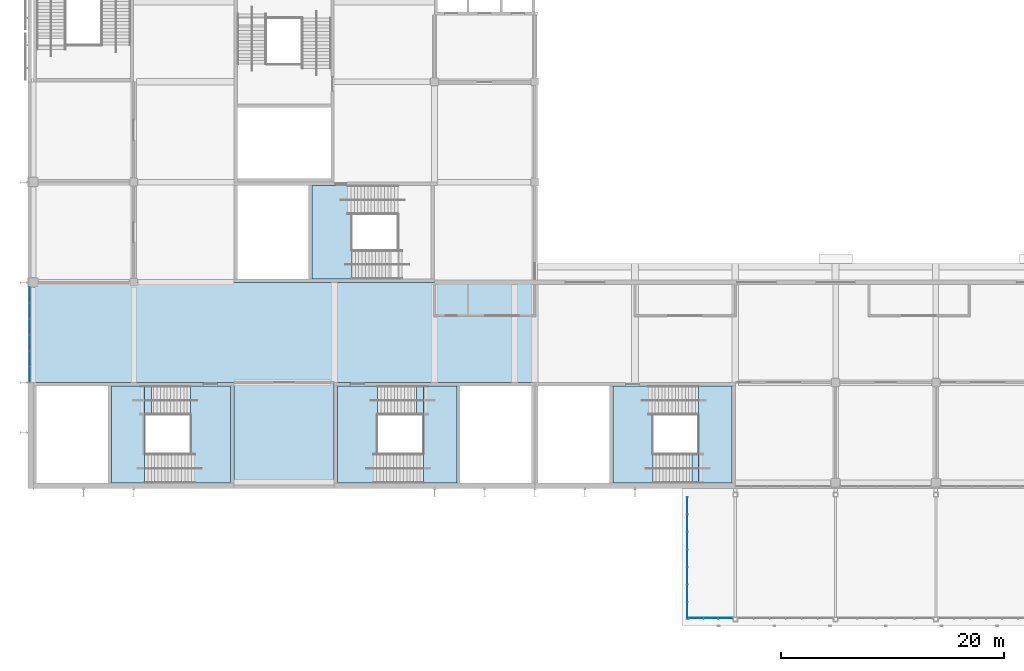
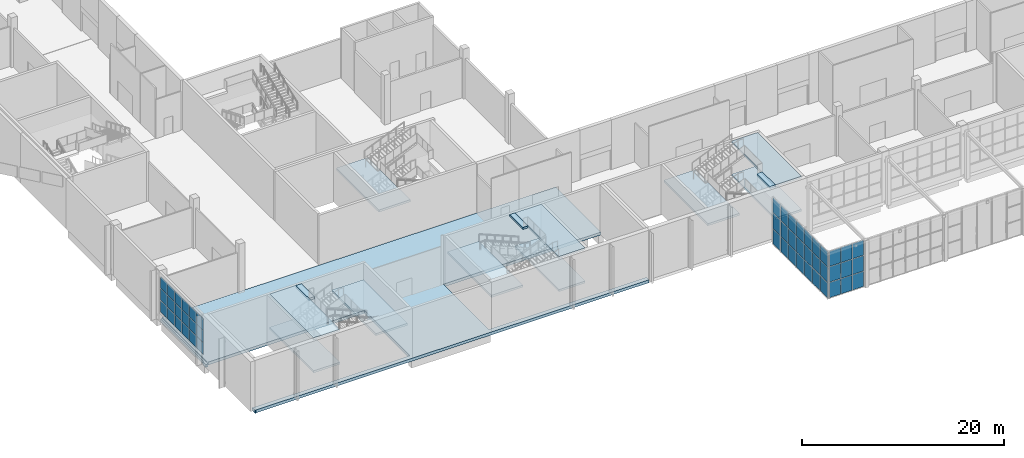
# One storey, part 28 of 89: 48 plates, 14 slabs, 7 elements without a shape of their own.
"""IFC4 building model written with IfcOpenShell, lengths in metres."""

import ifcopenshell
import ifcopenshell.guid

model = None  # the IFC model being written
_history = None  # IfcOwnerHistory: only IFC2X3 demands one
_inside = {}  # id of a spatial element -> (the spatial element, [elements in it])
_under = {}  # id of a project, library or spatial element -> (it, [spatial elements below it])
_declared = {}  # id of a project -> (the project, [libraries it declares])
_typed = {}  # id of a type object -> (the type object, [elements of that type])
_made_of = {}  # id of a material, layer set ... -> (it, [elements and type objects made of it])


def new_model(schema):
    """Start an empty IFC model of exactly this schema.

    Asked for "IFC4X3", IfcOpenShell would pick the latest addendum, in which some entities
    have other attributes; the version numbers below select the first issue.
    IFC2X3 requires an IfcOwnerHistory on every rooted entity: one is made here for all.
    """
    global model, _history
    if schema == "IFC4X3":
        model = ifcopenshell.file(schema_version=(4, 3, 0, 0))
    else:
        model = ifcopenshell.file(schema=schema)
    _inside.clear()
    _under.clear()
    _declared.clear()
    _typed.clear()
    _made_of.clear()
    _history = None
    if model.schema == "IFC2X3":
        org = make("IfcOrganization", Name="unknown")
        user = make(
            "IfcPersonAndOrganization",
            ThePerson=make("IfcPerson", FamilyName="unknown"),
            TheOrganization=org,
        )
        app = make(
            "IfcApplication",
            ApplicationDeveloper=org,
            Version="unknown",
            ApplicationFullName="unknown",
            ApplicationIdentifier="unknown",
        )
        _history = make(
            "IfcOwnerHistory",
            OwningUser=user,
            OwningApplication=app,
            ChangeAction="ADDED",
            CreationDate=0,
        )
    return model


def make(cls, **values):
    """One entity of the class cls with the attributes given. An attribute that is None is left unset."""
    return model.create_entity(
        cls, **{name: value for name, value in values.items() if value is not None}
    )


def rooted(cls, **values):
    """An entity with a GlobalId (a new one), such as an element, a storey or a relation."""
    return make(cls, GlobalId=ifcopenshell.guid.new(), OwnerHistory=_history, **values)


def si_unit(unit_type, name, prefix=None):
    """IfcSIUnit, for example si_unit("LENGTHUNIT", "METRE", prefix="MILLI")."""
    return make("IfcSIUnit", UnitType=unit_type, Prefix=prefix, Name=name)


def assignment(units):
    """IfcUnitAssignment: the units of a project."""
    return None if units is None else make("IfcUnitAssignment", Units=units)


def point(xyz):
    """IfcCartesianPoint."""
    return None if xyz is None else make("IfcCartesianPoint", Coordinates=xyz)


def direction(xyz):
    """IfcDirection."""
    return None if xyz is None else make("IfcDirection", DirectionRatios=xyz)


def frame(location, z_axis=None, x_axis=None):
    """IfcAxis2Placement3D, a coordinate frame: its origin and axes. An axis left out is left unset."""
    return make(
        "IfcAxis2Placement3D",
        Location=point(location),
        Axis=direction(z_axis),
        RefDirection=direction(x_axis),
    )


def frame_2d(location, x_axis=None):
    """IfcAxis2Placement2D, a coordinate frame in the plane: its origin and x axis."""
    return make(
        "IfcAxis2Placement2D", Location=point(location), RefDirection=direction(x_axis)
    )


def origin():
    """The frame at (0, 0, 0) with its axes left unset."""
    return frame((0.0, 0.0, 0.0))


def origin_2d():
    """The frame at (0, 0) in the plane with its x axis left unset."""
    return frame_2d((0.0, 0.0))


def place(relative_to, where):
    """IfcLocalPlacement: puts the frame where relative to a parent placement (None: the world)."""
    return make(
        "IfcLocalPlacement", PlacementRelTo=relative_to, RelativePlacement=where
    )


def context(
    kind, dimensions, precision=None, world=None, true_north=None, identifier=None
):
    """IfcGeometricRepresentationContext, for example the 3D "Model" context."""
    return make(
        "IfcGeometricRepresentationContext",
        ContextIdentifier=identifier,
        ContextType=kind,
        CoordinateSpaceDimension=dimensions,
        Precision=precision,
        WorldCoordinateSystem=world,
        TrueNorth=true_north,
    )


def subcontext(parent, identifier, kind, view, scale=None):
    """IfcGeometricRepresentationSubContext, for example "Body" below "Model"."""
    return make(
        "IfcGeometricRepresentationSubContext",
        ContextIdentifier=identifier,
        ContextType=kind,
        ParentContext=parent,
        TargetScale=scale,
        TargetView=view,
    )


def project(units=None, contexts=None):
    """IfcProject with its units and contexts."""
    return rooted(
        "IfcProject",
        Name="project",
        RepresentationContexts=contexts,
        UnitsInContext=assignment(units),
    )


def spatial(cls, under=None, at=None, **own):
    """A site, building, storey or space (cls), placed at a placement, below another one or the project."""
    s = rooted(cls, ObjectPlacement=at, **own)
    if under is not None:
        _under.setdefault(under.id(), (under, []))[1].append(s)
    return s


def polyline(points):
    """IfcPolyline through the points."""
    return make("IfcPolyline", Points=[point(p) for p in points])


def profile(cls, at=None, kind="AREA", **sizes):
    """A parametric profile (cls). Its sizes go by their IFC names, for example OverallWidth=200.0."""
    return make(cls, ProfileType=kind, Position=at, **sizes)


def rectangle(**sizes):
    """IfcRectangleProfileDef."""
    return profile("IfcRectangleProfileDef", **sizes)


def outline(outer, holes=None, kind="AREA"):
    """IfcArbitraryClosedProfileDef: a profile drawn as a closed curve; with holes, ...WithVoids."""
    if holes is None:
        return make("IfcArbitraryClosedProfileDef", ProfileType=kind, OuterCurve=outer)
    return make(
        "IfcArbitraryProfileDefWithVoids",
        ProfileType=kind,
        OuterCurve=outer,
        InnerCurves=holes,
    )


def extrude(swept, where, along, depth):
    """IfcExtrudedAreaSolid: the profile swept, set in the frame where, extruded along a direction by depth."""
    return make(
        "IfcExtrudedAreaSolid",
        SweptArea=swept,
        Position=where,
        ExtrudedDirection=direction(along),
        Depth=depth,
    )


def shape(context_of_items, identifier, shape_type, items):
    """IfcShapeRepresentation: the items that make up one representation, for example the "Body"."""
    return make(
        "IfcShapeRepresentation",
        ContextOfItems=context_of_items,
        RepresentationIdentifier=identifier,
        RepresentationType=shape_type,
        Items=items,
    )


def material(Name=None, Category=None):
    """IfcMaterial."""
    return make("IfcMaterial", Name=Name, Category=Category)


def layer(
    of_material, thickness, ventilated=None, Name=None, Category=None, Priority=None
):
    """IfcMaterialLayer: one layer of a wall or slab, of a material (None: an air gap)."""
    return make(
        "IfcMaterialLayer",
        Material=of_material,
        LayerThickness=thickness,
        IsVentilated=ventilated,
        Name=Name,
        Category=Category,
        Priority=Priority,
    )


def layer_set(layers, Name=None):
    """IfcMaterialLayerSet."""
    return make("IfcMaterialLayerSet", MaterialLayers=layers, LayerSetName=Name)


def made_of(thing, what):
    """Note that an element or type object is made of a material, layer set ...; save() writes the relation."""
    if what is not None:
        _made_of.setdefault(what.id(), (what, []))[1].append(thing)
    return thing


def type_object(cls, material=None, **own):
    """A type object (cls), such as IfcWallType, which elements share."""
    return made_of(rooted(cls, **own), material)


def element(
    cls,
    number,
    at=None,
    inside=None,
    cuts=None,
    type_object=None,
    material=None,
    context=None,
    identifier="Body",
    shape_type=None,
    held_by="IfcProductDefinitionShape",
    body=None,
    shapes=None,
    **own,
):
    """One element of the class cls, such as IfcWall. Its Tag is "e" and its number.

    at: its placement. inside: the storey or other place that contains it. cuts: it is an
    opening in that element (IfcRelVoidsElement). A single representation is given by context,
    identifier, shape_type and body (its items); several are given by shapes. held_by: the class
    of the entity that holds the representations. save() writes the other relations.
    """
    e = rooted(cls, Tag="e%d" % number, ObjectPlacement=at, **own)
    if body is not None:
        shapes = [shape(context, identifier, shape_type, body)]
    if shapes is not None:
        e.Representation = make(held_by, Representations=shapes)
    if inside is not None:
        _inside.setdefault(inside.id(), (inside, []))[1].append(e)
    if cuts is not None:
        rooted(
            "IfcRelVoidsElement", RelatingBuildingElement=cuts, RelatedOpeningElement=e
        )
    if type_object is not None:
        _typed.setdefault(type_object.id(), (type_object, []))[1].append(e)
    return made_of(e, material)


def aggregate(whole, parts):
    """IfcRelAggregates: a whole, such as a stair, and the parts it consists of."""
    return rooted("IfcRelAggregates", RelatingObject=whole, RelatedObjects=parts)


def save(model, path):
    """Write the relations noted so far, then the file.

    IfcRelAggregates (storeys below a building ...), IfcRelContainedInSpatialStructure (elements
    in a storey), IfcRelDefinesByType, IfcRelAssociatesMaterial and IfcRelDeclares: one each for
    every whole, place, type object, material and project.
    """
    for whole, parts in _under.values():
        aggregate(whole, parts)
    for where, things in _inside.values():
        rooted(
            "IfcRelContainedInSpatialStructure",
            RelatedElements=things,
            RelatingStructure=where,
        )
    for kind, things in _typed.values():
        rooted("IfcRelDefinesByType", RelatedObjects=things, RelatingType=kind)
    for what, things in _made_of.values():
        rooted("IfcRelAssociatesMaterial", RelatedObjects=things, RelatingMaterial=what)
    for by, libraries in _declared.values():
        rooted("IfcRelDeclares", RelatingContext=by, RelatedDefinitions=libraries)
    model.write(path)


model = new_model("IFC4")

# Units and contexts
model_context = context("Model", 3, precision=1e-05, world=origin(), true_north=direction((0.0, 1.0)))
body_context = subcontext(model_context, "Body", "Model", "MODEL_VIEW")
ifc_project = project(units=[si_unit("LENGTHUNIT", "METRE"), si_unit("AREAUNIT", "SQUARE_METRE"), si_unit("VOLUMEUNIT", "CUBIC_METRE"), si_unit("PLANEANGLEUNIT", "RADIAN"), si_unit("MASSUNIT", "GRAM", prefix="KILO")], contexts=[model_context])

# Site, building, storey
site_placement = place(None, origin())
site = spatial("IfcSite", under=ifc_project, at=site_placement, CompositionType="ELEMENT")
building_placement = place(site_placement, origin())
building = spatial("IfcBuilding", under=site, at=building_placement, Name="Silverbay Arena", CompositionType="ELEMENT")
storey_placement = place(building_placement, frame((0.0, 0.0, 22.0)))
storey = spatial("IfcBuildingStorey", under=building, at=storey_placement, Name="L03", CompositionType="ELEMENT", Elevation=22.0)

# Curtain wall, plates
ifc_material_1 = material(Name="Aluminium framed curtain wall", Category="aluminium")
curtain_wall_type_1 = type_object("IfcCurtainWallType", Name="Curtain wall 8600 x 4400", PredefinedType="NOTDEFINED", material=ifc_material_1)
curtain_wall_1_placement = place(storey_placement, origin())
curtain_wall_1 = element("IfcCurtainWall", 1, at=curtain_wall_1_placement, inside=storey, type_object=curtain_wall_type_1, Name="West curtain wall L03 bay 2", PredefinedType="NOTDEFINED")
ifc_material_2 = material(Name="Laminated glass", Category="glass")
ifc_layer_1 = layer(ifc_material_2, 0.028076171875)
ifc_layer_set_1 = layer_set([ifc_layer_1], Name="Laminated glass")
plate_type = type_object("IfcPlateType", Name="Glass panel 28", PredefinedType="CURTAIN_PANEL", material=ifc_layer_set_1)
plate_1_placement = place(storey_placement, frame((53.669921875, 34.868408203125, 1.050048828125), z_axis=(0.0, 0.0, 1.0), x_axis=(0.0, -1.0, 0.0)))
plate_1 = element("IfcPlate", 2, at=plate_1_placement, type_object=plate_type, Name="CW12 panel 1.1", PredefinedType="CURTAIN_PANEL", context=body_context, shape_type="SweptSolid", body=[
    extrude(rectangle(XDim=1.34326171875, YDim=0.028076171875, at=origin_2d()), origin(), (0.0, 0.0, 1.0), 1.3916015625),
])
plate_2_placement = place(storey_placement, frame((53.669921875, 34.868408203125, 2.49169921875), z_axis=(0.0, 0.0, 1.0), x_axis=(0.0, -1.0, 0.0)))
plate_2 = element("IfcPlate", 3, at=plate_2_placement, type_object=plate_type, Name="CW12 panel 1.2", PredefinedType="CURTAIN_PANEL", context=body_context, shape_type="SweptSolid", body=[
    extrude(rectangle(XDim=1.34326171875, YDim=0.028076171875, at=origin_2d()), origin(), (0.0, 0.0, 1.0), 1.416748046875),
])
plate_3_placement = place(storey_placement, frame((53.669921875, 34.868408203125, 3.958251953125), z_axis=(0.0, 0.0, 1.0), x_axis=(0.0, -1.0, 0.0)))
plate_3 = element("IfcPlate", 4, at=plate_3_placement, type_object=plate_type, Name="CW12 panel 1.3", PredefinedType="CURTAIN_PANEL", context=body_context, shape_type="SweptSolid", body=[
    extrude(rectangle(XDim=1.34326171875, YDim=0.028076171875, at=origin_2d()), origin(), (0.0, 0.0, 1.0), 1.3916015625),
])
plate_4_placement = place(storey_placement, frame((53.669921875, 33.449951171875, 1.050048828125), z_axis=(0.0, 0.0, 1.0), x_axis=(0.0, -1.0, 0.0)))
plate_4 = element("IfcPlate", 5, at=plate_4_placement, type_object=plate_type, Name="CW12 panel 2.1", PredefinedType="CURTAIN_PANEL", context=body_context, shape_type="SweptSolid", body=[
    extrude(rectangle(XDim=1.373291015625, YDim=0.028076171875, at=origin_2d()), origin(), (0.0, 0.0, 1.0), 1.3916015625),
])
plate_5_placement = place(storey_placement, frame((53.669921875, 33.449951171875, 2.49169921875), z_axis=(0.0, 0.0, 1.0), x_axis=(0.0, -1.0, 0.0)))
plate_5 = element("IfcPlate", 6, at=plate_5_placement, type_object=plate_type, Name="CW12 panel 2.2", PredefinedType="CURTAIN_PANEL", context=body_context, shape_type="SweptSolid", body=[
    extrude(rectangle(XDim=1.373291015625, YDim=0.028076171875, at=origin_2d()), origin(), (0.0, 0.0, 1.0), 1.416748046875),
])
plate_6_placement = place(storey_placement, frame((53.669921875, 33.449951171875, 3.958251953125), z_axis=(0.0, 0.0, 1.0), x_axis=(0.0, -1.0, 0.0)))
plate_6 = element("IfcPlate", 7, at=plate_6_placement, type_object=plate_type, Name="CW12 panel 2.3", PredefinedType="CURTAIN_PANEL", context=body_context, shape_type="SweptSolid", body=[
    extrude(rectangle(XDim=1.373291015625, YDim=0.028076171875, at=origin_2d()), origin(), (0.0, 0.0, 1.0), 1.3916015625),
])
plate_7_placement = place(storey_placement, frame((53.669921875, 32.0166015625, 1.050048828125), z_axis=(0.0, 0.0, 1.0), x_axis=(0.0, -1.0, 0.0)))
plate_7 = element("IfcPlate", 8, at=plate_7_placement, type_object=plate_type, Name="CW12 panel 3.1", PredefinedType="CURTAIN_PANEL", context=body_context, shape_type="SweptSolid", body=[
    extrude(rectangle(XDim=1.373291015625, YDim=0.028076171875, at=origin_2d()), origin(), (0.0, 0.0, 1.0), 1.3916015625),
])
plate_8_placement = place(storey_placement, frame((53.669921875, 32.0166015625, 2.49169921875), z_axis=(0.0, 0.0, 1.0), x_axis=(0.0, -1.0, 0.0)))
plate_8 = element("IfcPlate", 9, at=plate_8_placement, type_object=plate_type, Name="CW12 panel 3.2", PredefinedType="CURTAIN_PANEL", context=body_context, shape_type="SweptSolid", body=[
    extrude(rectangle(XDim=1.373291015625, YDim=0.028076171875, at=origin_2d()), origin(), (0.0, 0.0, 1.0), 1.416748046875),
])
plate_9_placement = place(storey_placement, frame((53.669921875, 32.0166015625, 3.958251953125), z_axis=(0.0, 0.0, 1.0), x_axis=(0.0, -1.0, 0.0)))
plate_9 = element("IfcPlate", 10, at=plate_9_placement, type_object=plate_type, Name="CW12 panel 3.3", PredefinedType="CURTAIN_PANEL", context=body_context, shape_type="SweptSolid", body=[
    extrude(rectangle(XDim=1.373291015625, YDim=0.028076171875, at=origin_2d()), origin(), (0.0, 0.0, 1.0), 1.3916015625),
])
plate_10_placement = place(storey_placement, frame((53.669921875, 30.583251953125, 1.050048828125), z_axis=(0.0, 0.0, 1.0), x_axis=(0.0, -1.0, 0.0)))
plate_10 = element("IfcPlate", 11, at=plate_10_placement, type_object=plate_type, Name="CW12 panel 4.1", PredefinedType="CURTAIN_PANEL", context=body_context, shape_type="SweptSolid", body=[
    extrude(rectangle(XDim=1.373291015625, YDim=0.028076171875, at=origin_2d()), origin(), (0.0, 0.0, 1.0), 1.3916015625),
])
plate_11_placement = place(storey_placement, frame((53.669921875, 30.583251953125, 2.49169921875), z_axis=(0.0, 0.0, 1.0), x_axis=(0.0, -1.0, 0.0)))
plate_11 = element("IfcPlate", 12, at=plate_11_placement, type_object=plate_type, Name="CW12 panel 4.2", PredefinedType="CURTAIN_PANEL", context=body_context, shape_type="SweptSolid", body=[
    extrude(rectangle(XDim=1.373291015625, YDim=0.028076171875, at=origin_2d()), origin(), (0.0, 0.0, 1.0), 1.416748046875),
])
plate_12_placement = place(storey_placement, frame((53.669921875, 30.583251953125, 3.958251953125), z_axis=(0.0, 0.0, 1.0), x_axis=(0.0, -1.0, 0.0)))
plate_12 = element("IfcPlate", 13, at=plate_12_placement, type_object=plate_type, Name="CW12 panel 4.3", PredefinedType="CURTAIN_PANEL", context=body_context, shape_type="SweptSolid", body=[
    extrude(rectangle(XDim=1.373291015625, YDim=0.028076171875, at=origin_2d()), origin(), (0.0, 0.0, 1.0), 1.3916015625),
])
plate_13_placement = place(storey_placement, frame((53.669921875, 29.14990234375, 1.050048828125), z_axis=(0.0, 0.0, 1.0), x_axis=(0.0, -1.0, 0.0)))
plate_13 = element("IfcPlate", 14, at=plate_13_placement, type_object=plate_type, Name="CW12 panel 5.1", PredefinedType="CURTAIN_PANEL", context=body_context, shape_type="SweptSolid", body=[
    extrude(rectangle(XDim=1.373291015625, YDim=0.028076171875, at=origin_2d()), origin(), (0.0, 0.0, 1.0), 1.3916015625),
])
plate_14_placement = place(storey_placement, frame((53.669921875, 29.14990234375, 2.49169921875), z_axis=(0.0, 0.0, 1.0), x_axis=(0.0, -1.0, 0.0)))
plate_14 = element("IfcPlate", 15, at=plate_14_placement, type_object=plate_type, Name="CW12 panel 5.2", PredefinedType="CURTAIN_PANEL", context=body_context, shape_type="SweptSolid", body=[
    extrude(rectangle(XDim=1.373291015625, YDim=0.028076171875, at=origin_2d()), origin(), (0.0, 0.0, 1.0), 1.416748046875),
])
plate_15_placement = place(storey_placement, frame((53.669921875, 29.14990234375, 3.958251953125), z_axis=(0.0, 0.0, 1.0), x_axis=(0.0, -1.0, 0.0)))
plate_15 = element("IfcPlate", 16, at=plate_15_placement, type_object=plate_type, Name="CW12 panel 5.3", PredefinedType="CURTAIN_PANEL", context=body_context, shape_type="SweptSolid", body=[
    extrude(rectangle(XDim=1.373291015625, YDim=0.028076171875, at=origin_2d()), origin(), (0.0, 0.0, 1.0), 1.3916015625),
])
plate_16_placement = place(storey_placement, frame((53.669921875, 27.731689453125, 1.050048828125), z_axis=(0.0, 0.0, 1.0), x_axis=(0.0, -1.0, 0.0)))
plate_16 = element("IfcPlate", 17, at=plate_16_placement, type_object=plate_type, Name="CW12 panel 6.1", PredefinedType="CURTAIN_PANEL", context=body_context, shape_type="SweptSolid", body=[
    extrude(rectangle(XDim=1.34326171875, YDim=0.028076171875, at=origin_2d()), origin(), (0.0, 0.0, 1.0), 1.3916015625),
])
plate_17_placement = place(storey_placement, frame((53.669921875, 27.731689453125, 2.49169921875), z_axis=(0.0, 0.0, 1.0), x_axis=(0.0, -1.0, 0.0)))
plate_17 = element("IfcPlate", 18, at=plate_17_placement, type_object=plate_type, Name="CW12 panel 6.2", PredefinedType="CURTAIN_PANEL", context=body_context, shape_type="SweptSolid", body=[
    extrude(rectangle(XDim=1.34326171875, YDim=0.028076171875, at=origin_2d()), origin(), (0.0, 0.0, 1.0), 1.416748046875),
])
plate_18_placement = place(storey_placement, frame((53.669921875, 27.731689453125, 3.958251953125), z_axis=(0.0, 0.0, 1.0), x_axis=(0.0, -1.0, 0.0)))
plate_18 = element("IfcPlate", 19, at=plate_18_placement, type_object=plate_type, Name="CW12 panel 6.3", PredefinedType="CURTAIN_PANEL", context=body_context, shape_type="SweptSolid", body=[
    extrude(rectangle(XDim=1.34326171875, YDim=0.028076171875, at=origin_2d()), origin(), (0.0, 0.0, 1.0), 1.3916015625),
])
aggregate(curtain_wall_1, [plate_1, plate_2, plate_3, plate_4, plate_5, plate_6, plate_7, plate_8, plate_9, plate_10, plate_11, plate_12, plate_13, plate_14, plate_15, plate_16, plate_17, plate_18])

ifc_material_3 = material(Name="Aluminium framed curtain wall", Category="aluminium")
curtain_wall_type_2 = type_object("IfcCurtainWallType", Name="Curtain wall 4000 x 5700", PredefinedType="NOTDEFINED", material=ifc_material_3)
curtain_wall_2_placement = place(storey_placement, origin())
curtain_wall_2 = element("IfcCurtainWall", 20, at=curtain_wall_2_placement, inside=storey, type_object=curtain_wall_type_2, Name="South entrance hall S1 glazing F-a", PredefinedType="NOTDEFINED")
plate_19_placement = place(storey_placement, frame((113.481689453125, 5.860107421875, 0.0498046875), z_axis=(0.0, 0.0, 1.0), x_axis=(1.0, 0.0, 0.0)))
plate_19 = element("IfcPlate", 21, at=plate_19_placement, type_object=plate_type, Name="CW35 panel 1.1", PredefinedType="CURTAIN_PANEL", context=body_context, shape_type="SweptSolid", body=[
    extrude(rectangle(XDim=1.243408203125, YDim=0.028076171875, at=origin_2d()), origin(), (0.0, 0.0, 1.0), 1.824951171875),
])
plate_20_placement = place(storey_placement, frame((113.481689453125, 5.860107421875, 1.925048828125), z_axis=(0.0, 0.0, 1.0), x_axis=(1.0, 0.0, 0.0)))
plate_20 = element("IfcPlate", 22, at=plate_20_placement, type_object=plate_type, Name="CW35 panel 1.2", PredefinedType="CURTAIN_PANEL", context=body_context, shape_type="SweptSolid", body=[
    extrude(rectangle(XDim=1.243408203125, YDim=0.028076171875, at=origin_2d()), origin(), (0.0, 0.0, 1.0), 1.85009765625),
])
plate_21_placement = place(storey_placement, frame((113.481689453125, 5.860107421875, 3.8251953125), z_axis=(0.0, 0.0, 1.0), x_axis=(1.0, 0.0, 0.0)))
plate_21 = element("IfcPlate", 23, at=plate_21_placement, type_object=plate_type, Name="CW35 panel 1.3", PredefinedType="CURTAIN_PANEL", context=body_context, shape_type="SweptSolid", body=[
    extrude(rectangle(XDim=1.243408203125, YDim=0.028076171875, at=origin_2d()), origin(), (0.0, 0.0, 1.0), 1.824951171875),
])
plate_22_placement = place(storey_placement, frame((114.800048828125, 5.860107421875, 0.0498046875), z_axis=(0.0, 0.0, 1.0), x_axis=(1.0, 0.0, 0.0)))
plate_22 = element("IfcPlate", 24, at=plate_22_placement, type_object=plate_type, Name="CW35 panel 2.1", PredefinedType="CURTAIN_PANEL", context=body_context, shape_type="SweptSolid", body=[
    extrude(rectangle(XDim=1.2734375, YDim=0.028076171875, at=origin_2d()), origin(), (0.0, 0.0, 1.0), 1.824951171875),
])
plate_23_placement = place(storey_placement, frame((114.800048828125, 5.860107421875, 1.925048828125), z_axis=(0.0, 0.0, 1.0), x_axis=(1.0, 0.0, 0.0)))
plate_23 = element("IfcPlate", 25, at=plate_23_placement, type_object=plate_type, Name="CW35 panel 2.2", PredefinedType="CURTAIN_PANEL", context=body_context, shape_type="SweptSolid", body=[
    extrude(rectangle(XDim=1.2734375, YDim=0.028076171875, at=origin_2d()), origin(), (0.0, 0.0, 1.0), 1.85009765625),
])
plate_24_placement = place(storey_placement, frame((114.800048828125, 5.860107421875, 3.8251953125), z_axis=(0.0, 0.0, 1.0), x_axis=(1.0, 0.0, 0.0)))
plate_24 = element("IfcPlate", 26, at=plate_24_placement, type_object=plate_type, Name="CW35 panel 2.3", PredefinedType="CURTAIN_PANEL", context=body_context, shape_type="SweptSolid", body=[
    extrude(rectangle(XDim=1.2734375, YDim=0.028076171875, at=origin_2d()), origin(), (0.0, 0.0, 1.0), 1.824951171875),
])
plate_25_placement = place(storey_placement, frame((116.118408203125, 5.860107421875, 0.0498046875), z_axis=(0.0, 0.0, 1.0), x_axis=(1.0, 0.0, 0.0)))
plate_25 = element("IfcPlate", 27, at=plate_25_placement, type_object=plate_type, Name="CW35 panel 3.1", PredefinedType="CURTAIN_PANEL", context=body_context, shape_type="SweptSolid", body=[
    extrude(rectangle(XDim=1.243408203125, YDim=0.028076171875, at=origin_2d()), origin(), (0.0, 0.0, 1.0), 1.824951171875),
])
plate_26_placement = place(storey_placement, frame((116.118408203125, 5.860107421875, 1.925048828125), z_axis=(0.0, 0.0, 1.0), x_axis=(1.0, 0.0, 0.0)))
plate_26 = element("IfcPlate", 28, at=plate_26_placement, type_object=plate_type, Name="CW35 panel 3.2", PredefinedType="CURTAIN_PANEL", context=body_context, shape_type="SweptSolid", body=[
    extrude(rectangle(XDim=1.243408203125, YDim=0.028076171875, at=origin_2d()), origin(), (0.0, 0.0, 1.0), 1.85009765625),
])
plate_27_placement = place(storey_placement, frame((116.118408203125, 5.860107421875, 3.8251953125), z_axis=(0.0, 0.0, 1.0), x_axis=(1.0, 0.0, 0.0)))
plate_27 = element("IfcPlate", 29, at=plate_27_placement, type_object=plate_type, Name="CW35 panel 3.3", PredefinedType="CURTAIN_PANEL", context=body_context, shape_type="SweptSolid", body=[
    extrude(rectangle(XDim=1.243408203125, YDim=0.028076171875, at=origin_2d()), origin(), (0.0, 0.0, 1.0), 1.824951171875),
])
aggregate(curtain_wall_2, [plate_19, plate_20, plate_21, plate_22, plate_23, plate_24, plate_25, plate_26, plate_27])

ifc_material_4 = material(Name="Aluminium framed curtain wall", Category="aluminium")
curtain_wall_type_3 = type_object("IfcCurtainWallType", Name="Curtain wall 11000 x 5700", PredefinedType="NOTDEFINED", material=ifc_material_4)
curtain_wall_3_placement = place(storey_placement, origin())
curtain_wall_3 = element("IfcCurtainWall", 30, at=curtain_wall_3_placement, inside=storey, type_object=curtain_wall_type_3, Name="South entrance hall S1 glazing SA", PredefinedType="NOTDEFINED")
plate_28_placement = place(storey_placement, frame((112.68994140625, 6.55078125, 0.0498046875), z_axis=(0.0, 0.0, 1.0), x_axis=(0.0, 1.0, 0.0)))
plate_28 = element("IfcPlate", 31, at=plate_28_placement, type_object=plate_type, Name="CW38 panel 1.1", PredefinedType="CURTAIN_PANEL", context=body_context, shape_type="SweptSolid", body=[
    extrude(rectangle(XDim=1.4814453125, YDim=0.028076171875, at=origin_2d()), origin(), (0.0, 0.0, 1.0), 1.824951171875),
])
plate_29_placement = place(storey_placement, frame((112.68994140625, 6.55078125, 1.925048828125), z_axis=(0.0, 0.0, 1.0), x_axis=(0.0, 1.0, 0.0)))
plate_29 = element("IfcPlate", 32, at=plate_29_placement, type_object=plate_type, Name="CW38 panel 1.2", PredefinedType="CURTAIN_PANEL", context=body_context, shape_type="SweptSolid", body=[
    extrude(rectangle(XDim=1.4814453125, YDim=0.028076171875, at=origin_2d()), origin(), (0.0, 0.0, 1.0), 1.85009765625),
])
plate_30_placement = place(storey_placement, frame((112.68994140625, 6.55078125, 3.8251953125), z_axis=(0.0, 0.0, 1.0), x_axis=(0.0, 1.0, 0.0)))
plate_30 = element("IfcPlate", 33, at=plate_30_placement, type_object=plate_type, Name="CW38 panel 1.3", PredefinedType="CURTAIN_PANEL", context=body_context, shape_type="SweptSolid", body=[
    extrude(rectangle(XDim=1.4814453125, YDim=0.028076171875, at=origin_2d()), origin(), (0.0, 0.0, 1.0), 1.824951171875),
])
plate_31_placement = place(storey_placement, frame((112.68994140625, 8.107177734375, 0.0498046875), z_axis=(0.0, 0.0, 1.0), x_axis=(0.0, 1.0, 0.0)))
plate_31 = element("IfcPlate", 34, at=plate_31_placement, type_object=plate_type, Name="CW38 panel 2.1", PredefinedType="CURTAIN_PANEL", context=body_context, shape_type="SweptSolid", body=[
    extrude(rectangle(XDim=1.511474609375, YDim=0.028076171875, at=origin_2d()), origin(), (0.0, 0.0, 1.0), 1.824951171875),
])
plate_32_placement = place(storey_placement, frame((112.68994140625, 8.107177734375, 1.925048828125), z_axis=(0.0, 0.0, 1.0), x_axis=(0.0, 1.0, 0.0)))
plate_32 = element("IfcPlate", 35, at=plate_32_placement, type_object=plate_type, Name="CW38 panel 2.2", PredefinedType="CURTAIN_PANEL", context=body_context, shape_type="SweptSolid", body=[
    extrude(rectangle(XDim=1.511474609375, YDim=0.028076171875, at=origin_2d()), origin(), (0.0, 0.0, 1.0), 1.85009765625),
])
plate_33_placement = place(storey_placement, frame((112.68994140625, 8.107177734375, 3.8251953125), z_axis=(0.0, 0.0, 1.0), x_axis=(0.0, 1.0, 0.0)))
plate_33 = element("IfcPlate", 36, at=plate_33_placement, type_object=plate_type, Name="CW38 panel 2.3", PredefinedType="CURTAIN_PANEL", context=body_context, shape_type="SweptSolid", body=[
    extrude(rectangle(XDim=1.511474609375, YDim=0.028076171875, at=origin_2d()), origin(), (0.0, 0.0, 1.0), 1.824951171875),
])
plate_34_placement = place(storey_placement, frame((112.68994140625, 9.678466796875, 0.0498046875), z_axis=(0.0, 0.0, 1.0), x_axis=(0.0, 1.0, 0.0)))
plate_34 = element("IfcPlate", 37, at=plate_34_placement, type_object=plate_type, Name="CW38 panel 3.1", PredefinedType="CURTAIN_PANEL", context=body_context, shape_type="SweptSolid", body=[
    extrude(rectangle(XDim=1.511474609375, YDim=0.028076171875, at=origin_2d()), origin(), (0.0, 0.0, 1.0), 1.824951171875),
])
plate_35_placement = place(storey_placement, frame((112.68994140625, 9.678466796875, 1.925048828125), z_axis=(0.0, 0.0, 1.0), x_axis=(0.0, 1.0, 0.0)))
plate_35 = element("IfcPlate", 38, at=plate_35_placement, type_object=plate_type, Name="CW38 panel 3.2", PredefinedType="CURTAIN_PANEL", context=body_context, shape_type="SweptSolid", body=[
    extrude(rectangle(XDim=1.511474609375, YDim=0.028076171875, at=origin_2d()), origin(), (0.0, 0.0, 1.0), 1.85009765625),
])
plate_36_placement = place(storey_placement, frame((112.68994140625, 9.678466796875, 3.8251953125), z_axis=(0.0, 0.0, 1.0), x_axis=(0.0, 1.0, 0.0)))
plate_36 = element("IfcPlate", 39, at=plate_36_placement, type_object=plate_type, Name="CW38 panel 3.3", PredefinedType="CURTAIN_PANEL", context=body_context, shape_type="SweptSolid", body=[
    extrude(rectangle(XDim=1.511474609375, YDim=0.028076171875, at=origin_2d()), origin(), (0.0, 0.0, 1.0), 1.824951171875),
])
plate_37_placement = place(storey_placement, frame((112.68994140625, 11.25, 0.0498046875), z_axis=(0.0, 0.0, 1.0), x_axis=(0.0, 1.0, 0.0)))
plate_37 = element("IfcPlate", 40, at=plate_37_placement, type_object=plate_type, Name="CW38 panel 4.1", PredefinedType="CURTAIN_PANEL", context=body_context, shape_type="SweptSolid", body=[
    extrude(rectangle(XDim=1.511474609375, YDim=0.028076171875, at=origin_2d()), origin(), (0.0, 0.0, 1.0), 1.824951171875),
])
plate_38_placement = place(storey_placement, frame((112.68994140625, 11.25, 1.925048828125), z_axis=(0.0, 0.0, 1.0), x_axis=(0.0, 1.0, 0.0)))
plate_38 = element("IfcPlate", 41, at=plate_38_placement, type_object=plate_type, Name="CW38 panel 4.2", PredefinedType="CURTAIN_PANEL", context=body_context, shape_type="SweptSolid", body=[
    extrude(rectangle(XDim=1.511474609375, YDim=0.028076171875, at=origin_2d()), origin(), (0.0, 0.0, 1.0), 1.85009765625),
])
plate_39_placement = place(storey_placement, frame((112.68994140625, 11.25, 3.8251953125), z_axis=(0.0, 0.0, 1.0), x_axis=(0.0, 1.0, 0.0)))
plate_39 = element("IfcPlate", 42, at=plate_39_placement, type_object=plate_type, Name="CW38 panel 4.3", PredefinedType="CURTAIN_PANEL", context=body_context, shape_type="SweptSolid", body=[
    extrude(rectangle(XDim=1.511474609375, YDim=0.028076171875, at=origin_2d()), origin(), (0.0, 0.0, 1.0), 1.824951171875),
])
plate_40_placement = place(storey_placement, frame((112.68994140625, 12.821533203125, 0.0498046875), z_axis=(0.0, 0.0, 1.0), x_axis=(0.0, 1.0, 0.0)))
plate_40 = element("IfcPlate", 43, at=plate_40_placement, type_object=plate_type, Name="CW38 panel 5.1", PredefinedType="CURTAIN_PANEL", context=body_context, shape_type="SweptSolid", body=[
    extrude(rectangle(XDim=1.511474609375, YDim=0.028076171875, at=origin_2d()), origin(), (0.0, 0.0, 1.0), 1.824951171875),
])
plate_41_placement = place(storey_placement, frame((112.68994140625, 12.821533203125, 1.925048828125), z_axis=(0.0, 0.0, 1.0), x_axis=(0.0, 1.0, 0.0)))
plate_41 = element("IfcPlate", 44, at=plate_41_placement, type_object=plate_type, Name="CW38 panel 5.2", PredefinedType="CURTAIN_PANEL", context=body_context, shape_type="SweptSolid", body=[
    extrude(rectangle(XDim=1.511474609375, YDim=0.028076171875, at=origin_2d()), origin(), (0.0, 0.0, 1.0), 1.85009765625),
])
plate_42_placement = place(storey_placement, frame((112.68994140625, 12.821533203125, 3.8251953125), z_axis=(0.0, 0.0, 1.0), x_axis=(0.0, 1.0, 0.0)))
plate_42 = element("IfcPlate", 45, at=plate_42_placement, type_object=plate_type, Name="CW38 panel 5.3", PredefinedType="CURTAIN_PANEL", context=body_context, shape_type="SweptSolid", body=[
    extrude(rectangle(XDim=1.511474609375, YDim=0.028076171875, at=origin_2d()), origin(), (0.0, 0.0, 1.0), 1.824951171875),
])
plate_43_placement = place(storey_placement, frame((112.68994140625, 14.392822265625, 0.0498046875), z_axis=(0.0, 0.0, 1.0), x_axis=(0.0, 1.0, 0.0)))
plate_43 = element("IfcPlate", 46, at=plate_43_placement, type_object=plate_type, Name="CW38 panel 6.1", PredefinedType="CURTAIN_PANEL", context=body_context, shape_type="SweptSolid", body=[
    extrude(rectangle(XDim=1.511474609375, YDim=0.028076171875, at=origin_2d()), origin(), (0.0, 0.0, 1.0), 1.824951171875),
])
plate_44_placement = place(storey_placement, frame((112.68994140625, 14.392822265625, 1.925048828125), z_axis=(0.0, 0.0, 1.0), x_axis=(0.0, 1.0, 0.0)))
plate_44 = element("IfcPlate", 47, at=plate_44_placement, type_object=plate_type, Name="CW38 panel 6.2", PredefinedType="CURTAIN_PANEL", context=body_context, shape_type="SweptSolid", body=[
    extrude(rectangle(XDim=1.511474609375, YDim=0.028076171875, at=origin_2d()), origin(), (0.0, 0.0, 1.0), 1.85009765625),
])
plate_45_placement = place(storey_placement, frame((112.68994140625, 14.392822265625, 3.8251953125), z_axis=(0.0, 0.0, 1.0), x_axis=(0.0, 1.0, 0.0)))
plate_45 = element("IfcPlate", 48, at=plate_45_placement, type_object=plate_type, Name="CW38 panel 6.3", PredefinedType="CURTAIN_PANEL", context=body_context, shape_type="SweptSolid", body=[
    extrude(rectangle(XDim=1.511474609375, YDim=0.028076171875, at=origin_2d()), origin(), (0.0, 0.0, 1.0), 1.824951171875),
])
plate_46_placement = place(storey_placement, frame((112.68994140625, 15.94921875, 0.0498046875), z_axis=(0.0, 0.0, 1.0), x_axis=(0.0, 1.0, 0.0)))
plate_46 = element("IfcPlate", 49, at=plate_46_placement, type_object=plate_type, Name="CW38 panel 7.1", PredefinedType="CURTAIN_PANEL", context=body_context, shape_type="SweptSolid", body=[
    extrude(rectangle(XDim=1.4814453125, YDim=0.028076171875, at=origin_2d()), origin(), (0.0, 0.0, 1.0), 1.824951171875),
])
plate_47_placement = place(storey_placement, frame((112.68994140625, 15.94921875, 1.925048828125), z_axis=(0.0, 0.0, 1.0), x_axis=(0.0, 1.0, 0.0)))
plate_47 = element("IfcPlate", 50, at=plate_47_placement, type_object=plate_type, Name="CW38 panel 7.2", PredefinedType="CURTAIN_PANEL", context=body_context, shape_type="SweptSolid", body=[
    extrude(rectangle(XDim=1.4814453125, YDim=0.028076171875, at=origin_2d()), origin(), (0.0, 0.0, 1.0), 1.85009765625),
])
plate_48_placement = place(storey_placement, frame((112.68994140625, 15.94921875, 3.8251953125), z_axis=(0.0, 0.0, 1.0), x_axis=(0.0, 1.0, 0.0)))
plate_48 = element("IfcPlate", 51, at=plate_48_placement, type_object=plate_type, Name="CW38 panel 7.3", PredefinedType="CURTAIN_PANEL", context=body_context, shape_type="SweptSolid", body=[
    extrude(rectangle(XDim=1.4814453125, YDim=0.028076171875, at=origin_2d()), origin(), (0.0, 0.0, 1.0), 1.824951171875),
])
aggregate(curtain_wall_3, [plate_28, plate_29, plate_30, plate_31, plate_32, plate_33, plate_34, plate_35, plate_36, plate_37, plate_38, plate_39, plate_40, plate_41, plate_42, plate_43, plate_44, plate_45, plate_46, plate_47, plate_48])

# Slab
ifc_material_5 = material(Name="Concrete Grade C45", Category="concrete")
ifc_layer_2 = layer(ifc_material_5, 0.35009765625)
ifc_layer_set_2 = layer_set([ifc_layer_2], Name="Concrete Grade C45")
slab_type_1 = type_object("IfcSlabType", Name="RC floor slab 350", PredefinedType="FLOOR", material=ifc_layer_set_2)
slab_1_placement = place(storey_placement, frame((0.0, 0.0, -0.35009765625)))
element("IfcSlab", 52, at=slab_1_placement, inside=storey, type_object=slab_type_1, Name="Floor slab L03 unit 1", PredefinedType="FLOOR", context=body_context, shape_type="SweptSolid", body=[
    extrude(outline(polyline([(54.0, 18.074951171875), (54.074951171875, 18.074951171875), (54.074951171875, 18.0), (72.0, 18.0), (72.0, 27.0), (54.074951171875, 27.0), (54.074951171875, 26.925048828125), (54.0, 26.925048828125), (54.0, 26.75), (53.75, 26.75), (53.75, 27.324951171875), (53.824951171875, 27.324951171875), (53.824951171875, 35.800048828125), (54.0, 35.800048828125), (54.0, 27.074951171875), (54.074951171875, 27.074951171875), (54.074951171875, 35.97509765625), (99.0, 35.97509765625), (99.0, 27.0), (81.0, 27.0), (81.0, 18.0), (99.0, 18.0), (99.0, 17.5), (54.074951171875, 17.5), (54.074951171875, 17.425048828125), (54.0, 17.425048828125), (54.0, 18.074951171875)])), origin(), (0.0, 0.0, 1.0), 0.35009765625),
])

# Stair, slab
ifc_material_6 = material(Name="Concrete Grade C45", Category="concrete")
stair_type = type_object("IfcStairType", Name="Stair 2600 wide 48 risers 125.0 x 300", PredefinedType="HALF_TURN_STAIR", material=ifc_material_6)
stair_1_placement = place(storey_placement, origin())
stair_1 = element("IfcStair", 53, at=stair_1_placement, inside=storey, type_object=stair_type, Name="Stair ST-S1 L03 to L04", PredefinedType="HALF_TURN_STAIR")
ifc_material_7 = material(Name="Concrete Grade C45", Category="concrete")
ifc_layer_3 = layer(ifc_material_7, 0.25)
ifc_layer_set_3 = layer_set([ifc_layer_3], Name="Concrete Grade C45")
slab_type_2 = type_object("IfcSlabType", Name="Stair arrival platform RC 250", PredefinedType="FLOOR", material=ifc_layer_set_3)
slab_2_placement = place(storey_placement, frame((0.0, 0.0, 5.75)))
slab_2 = element("IfcSlab", 54, at=slab_2_placement, type_object=slab_type_2, Name="Stair ST-S1 L03 to L04 arrival platform 4", PredefinedType="FLOOR", context=body_context, shape_type="SweptSolid", body=[
    extrude(outline(polyline([(88.39990234375, 26.699951171875), (89.010009765625, 26.699951171875), (89.010009765625, 24.10009765625), (88.39990234375, 24.10009765625), (88.39990234375, 26.699951171875)])), origin(), (0.0, 0.0, 1.0), 0.25),
])

stair_2_placement = place(storey_placement, origin())
stair_2 = element("IfcStair", 55, at=stair_2_placement, inside=storey, type_object=stair_type, Name="Stair ST-S2 L03 to L04", PredefinedType="HALF_TURN_STAIR")
slab_3_placement = place(storey_placement, frame((0.0, 0.0, 5.75)))
slab_3 = element("IfcSlab", 56, at=slab_3_placement, type_object=slab_type_2, Name="Stair ST-S2 L03 to L04 arrival platform 4", PredefinedType="FLOOR", context=body_context, shape_type="SweptSolid", body=[
    extrude(outline(polyline([(113.10009765625, 20.60009765625), (113.7099609375, 20.60009765625), (113.7099609375, 18.0), (113.10009765625, 18.0), (113.10009765625, 20.60009765625)])), origin(), (0.0, 0.0, 1.0), 0.25),
])

stair_3_placement = place(storey_placement, origin())
stair_3 = element("IfcStair", 57, at=stair_3_placement, inside=storey, type_object=stair_type, Name="Stair ST-S5 L03 to L04", PredefinedType="HALF_TURN_STAIR")
slab_4_placement = place(storey_placement, frame((0.0, 0.0, 5.75)))
slab_4 = element("IfcSlab", 58, at=slab_4_placement, type_object=slab_type_2, Name="Stair ST-S5 L03 to L04 arrival platform 4", PredefinedType="FLOOR", context=body_context, shape_type="SweptSolid", body=[
    extrude(outline(polyline([(64.60009765625, 26.699951171875), (63.989990234375, 26.699951171875), (63.989990234375, 24.10009765625), (64.60009765625, 24.10009765625), (64.60009765625, 26.699951171875)])), origin(), (0.0, 0.0, 1.0), 0.25),
])

# Slab
ifc_material_8 = material(Name="Concrete Grade C45", Category="concrete")
ifc_layer_4 = layer(ifc_material_8, 0.25)
ifc_layer_set_4 = layer_set([ifc_layer_4], Name="Concrete Grade C45")
slab_type_3 = type_object("IfcSlabType", Name="Stair landing RC 250", PredefinedType="LANDING", material=ifc_layer_set_4)
slab_5_placement = place(storey_placement, frame((0.0, 0.0, 1.75)))
slab_5 = element("IfcSlab", 59, at=slab_5_placement, type_object=slab_type_3, Name="Stair ST-S1 L03 to L04 landing 1", PredefinedType="LANDING", context=body_context, shape_type="SweptSolid", body=[
    extrude(outline(polyline([(89.010009765625, 26.699951171875), (92.0, 26.699951171875), (92.0, 18.0), (89.010009765625, 18.0), (89.010009765625, 26.699951171875)])), origin(), (0.0, 0.0, 1.0), 0.25),
])

slab_6_placement = place(storey_placement, frame((0.0, 0.0, 3.75)))
slab_6 = element("IfcSlab", 60, at=slab_6_placement, type_object=slab_type_3, Name="Stair ST-S1 L03 to L04 landing 2", PredefinedType="LANDING", context=body_context, shape_type="SweptSolid", body=[
    extrude(outline(polyline([(81.300048828125, 26.699951171875), (84.89990234375, 26.699951171875), (84.89990234375, 18.0), (81.300048828125, 18.0), (81.300048828125, 26.699951171875)])), origin(), (0.0, 0.0, 1.0), 0.25),
])

slab_7_placement = place(storey_placement, frame((0.0, 0.0, 5.75)))
slab_7 = element("IfcSlab", 61, at=slab_7_placement, type_object=slab_type_3, Name="Stair ST-S1 L03 to L04 landing 3", PredefinedType="LANDING", context=body_context, shape_type="SweptSolid", body=[
    extrude(outline(polyline([(89.010009765625, 26.699951171875), (92.0, 26.699951171875), (92.0, 18.0), (89.010009765625, 18.0), (89.010009765625, 26.699951171875)])), origin(), (0.0, 0.0, 1.0), 0.25),
])

aggregate(stair_1, [slab_5, slab_6, slab_7, slab_2])

slab_8_placement = place(storey_placement, frame((0.0, 0.0, 1.75)))
slab_8 = element("IfcSlab", 62, at=slab_8_placement, type_object=slab_type_3, Name="Stair ST-S2 L03 to L04 landing 1", PredefinedType="LANDING", context=body_context, shape_type="SweptSolid", body=[
    extrude(outline(polyline([(113.7099609375, 26.699951171875), (116.699951171875, 26.699951171875), (116.699951171875, 18.0), (113.7099609375, 18.0), (113.7099609375, 26.699951171875)])), origin(), (0.0, 0.0, 1.0), 0.25),
])

slab_9_placement = place(storey_placement, frame((0.0, 0.0, 3.75)))
slab_9 = element("IfcSlab", 63, at=slab_9_placement, type_object=slab_type_3, Name="Stair ST-S2 L03 to L04 landing 2", PredefinedType="LANDING", context=body_context, shape_type="SweptSolid", body=[
    extrude(outline(polyline([(106.0, 26.699951171875), (109.60009765625, 26.699951171875), (109.60009765625, 18.0), (106.0, 18.0), (106.0, 26.699951171875)])), origin(), (0.0, 0.0, 1.0), 0.25),
])

slab_10_placement = place(storey_placement, frame((0.0, 0.0, 5.75)))
slab_10 = element("IfcSlab", 64, at=slab_10_placement, type_object=slab_type_3, Name="Stair ST-S2 L03 to L04 landing 3", PredefinedType="LANDING", context=body_context, shape_type="SweptSolid", body=[
    extrude(outline(polyline([(113.7099609375, 26.699951171875), (116.699951171875, 26.699951171875), (116.699951171875, 18.0), (113.7099609375, 18.0), (113.7099609375, 26.699951171875)])), origin(), (0.0, 0.0, 1.0), 0.25),
])

aggregate(stair_2, [slab_8, slab_9, slab_10, slab_3])

slab_11_placement = place(storey_placement, frame((0.0, 0.0, 1.75)))
slab_11 = element("IfcSlab", 65, at=slab_11_placement, type_object=slab_type_3, Name="Stair ST-S5 L03 to L04 landing 1", PredefinedType="LANDING", context=body_context, shape_type="SweptSolid", body=[
    extrude(outline(polyline([(63.989990234375, 26.699951171875), (61.0, 26.699951171875), (61.0, 18.0), (63.989990234375, 18.0), (63.989990234375, 26.699951171875)])), origin(), (0.0, 0.0, 1.0), 0.25),
])

slab_12_placement = place(storey_placement, frame((0.0, 0.0, 3.75)))
slab_12 = element("IfcSlab", 66, at=slab_12_placement, type_object=slab_type_3, Name="Stair ST-S5 L03 to L04 landing 2", PredefinedType="LANDING", context=body_context, shape_type="SweptSolid", body=[
    extrude(outline(polyline([(71.699951171875, 26.699951171875), (68.10009765625, 26.699951171875), (68.10009765625, 18.0), (71.699951171875, 18.0), (71.699951171875, 26.699951171875)])), origin(), (0.0, 0.0, 1.0), 0.25),
])

slab_13_placement = place(storey_placement, frame((0.0, 0.0, 5.75)))
slab_13 = element("IfcSlab", 67, at=slab_13_placement, type_object=slab_type_3, Name="Stair ST-S5 L03 to L04 landing 3", PredefinedType="LANDING", context=body_context, shape_type="SweptSolid", body=[
    extrude(outline(polyline([(63.989990234375, 26.699951171875), (61.0, 26.699951171875), (61.0, 18.0), (63.989990234375, 18.0), (63.989990234375, 26.699951171875)])), origin(), (0.0, 0.0, 1.0), 0.25),
])

aggregate(stair_3, [slab_11, slab_12, slab_13, slab_4])

# Stair, slab
stair_4_placement = place(storey_placement, origin())
stair_4 = element("IfcStair", 68, at=stair_4_placement, inside=storey, type_object=stair_type, Name="Stair ST-SW1 L03 to L04", PredefinedType="HALF_TURN_STAIR")
slab_14_placement = place(storey_placement, frame((0.0, 0.0, 3.75)))
slab_14 = element("IfcSlab", 69, at=slab_14_placement, type_object=slab_type_3, Name="Stair ST-SW1 L03 to L04 landing 2", PredefinedType="LANDING", context=body_context, shape_type="SweptSolid", body=[
    extrude(outline(polyline([(79.0, 44.699951171875), (82.60009765625, 44.699951171875), (82.60009765625, 36.300048828125), (79.0, 36.300048828125), (79.0, 44.699951171875)])), origin(), (0.0, 0.0, 1.0), 0.25),
])
aggregate(stair_4, [slab_14])

save(model, "model.ifc")
